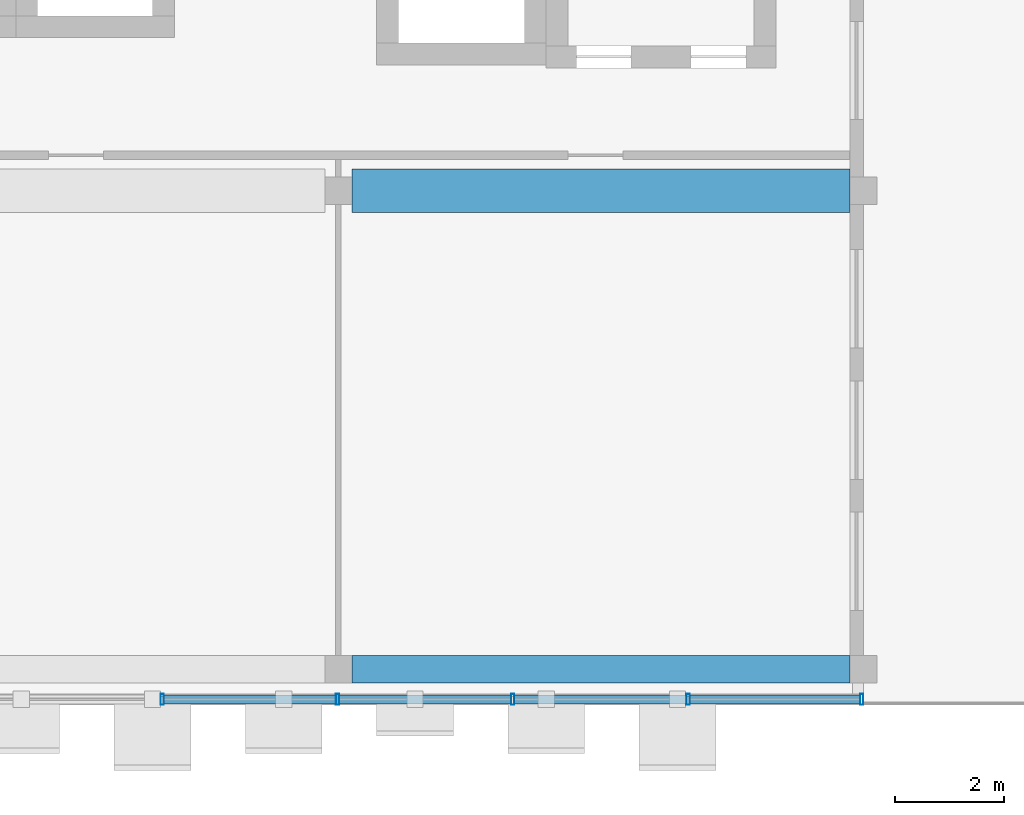
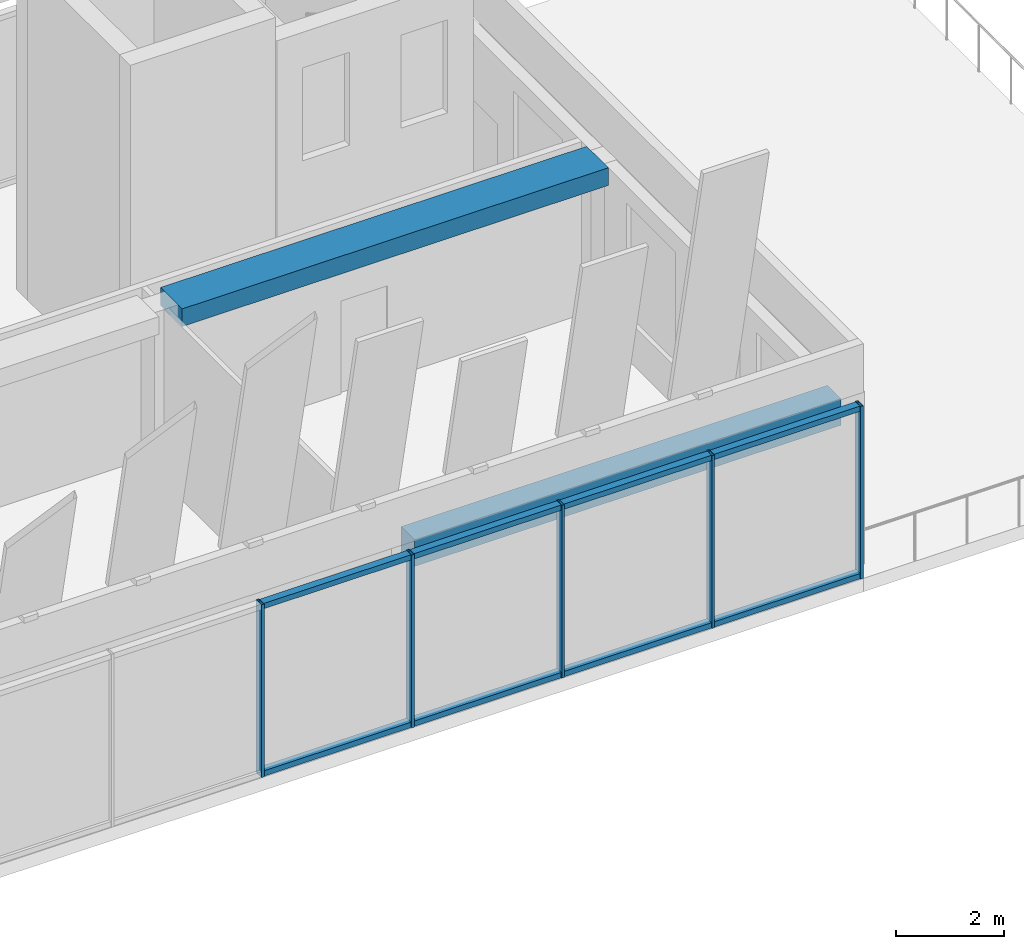
# One storey, part 4 of 26: 13 members, 2 beams, 1 element without a shape of its own.
"""IFC4 building model written with IfcOpenShell, lengths in metres."""

from ifc_helpers import new_model, si_unit, direction, frame, origin, origin_2d, place, context, subcontext, project, spatial, rectangle, hollow_rectangle, extrude, material, layer, layer_set, material_profile, profile_set, type_object, element, aggregate, save


model = new_model("IFC4")

# Units and contexts
model_context = context("Model", 3, precision=1e-05, world=origin(), true_north=direction((0.0, 1.0)))
body_context = subcontext(model_context, "Body", "Model", "MODEL_VIEW")
ifc_project = project(units=[si_unit("LENGTHUNIT", "METRE"), si_unit("AREAUNIT", "SQUARE_METRE"), si_unit("VOLUMEUNIT", "CUBIC_METRE"), si_unit("PLANEANGLEUNIT", "RADIAN"), si_unit("MASSUNIT", "GRAM", prefix="KILO")], contexts=[model_context])

# Site, building, storey
site_placement = place(None, origin())
site = spatial("IfcSite", under=ifc_project, at=site_placement, CompositionType="ELEMENT")
building_placement = place(site_placement, origin())
building = spatial("IfcBuilding", under=site, at=building_placement, Name="Nzadi Deep Aquarium and Research Tower", CompositionType="ELEMENT")
storey_placement = place(building_placement, frame((0.0, 0.0, 78.10009765625)))
storey = spatial("IfcBuildingStorey", under=building, at=storey_placement, Name="L16", CompositionType="ELEMENT", Elevation=78.10009765625)

# Curtain wall, members
ifc_material_1 = material(Name="Aluminium unitised frame", Category="aluminium")
ifc_layer = layer(ifc_material_1, 0.199951171875)
ifc_layer_set = layer_set([ifc_layer], Name="Aluminium unitised frame")
curtain_wall_type = type_object("IfcCurtainWallType", Name="Curtain wall Unitised 200", PredefinedType="NOTDEFINED", material=ifc_layer_set)
curtain_wall_placement = place(storey_placement, origin())
curtain_wall = element("IfcCurtainWall", 1, at=curtain_wall_placement, inside=storey, type_object=curtain_wall_type, Name="Unitised curtain wall blade A south L16", PredefinedType="NOTDEFINED")
ifc_material_2 = material(Name="Aluminium unitised frame", Category="aluminium")
ifc_material_profile_1 = material_profile(ifc_material_2, hollow_rectangle(XDim=0.199951171875, YDim=0.06005859375, WallThickness=0.0048828125, at=origin_2d()))
ifc_profile_set_1 = profile_set([ifc_material_profile_1], Name="Aluminium unitised frame")
member_type_1 = type_object("IfcMemberType", Name="Mullion 60x200 Unitised", PredefinedType="MULLION", material=ifc_profile_set_1)
member_1_placement = place(storey_placement, frame((15.977783203125, -0.10009765625, 0.0), z_axis=(0.0, 0.0, 1.0), x_axis=(0.0, 1.0, 0.0)))
member_1 = element("IfcMember", 2, at=member_1_placement, type_object=member_type_1, Name="CW075 mullion 6", PredefinedType="MULLION", context=body_context, shape_type="SweptSolid", body=[
    extrude(hollow_rectangle(XDim=0.199951171875, YDim=0.06005859375, WallThickness=0.0048828125, at=origin_2d()), origin(), (0.0, 0.0, 1.0), 3.89990234375),
])
member_2_placement = place(storey_placement, frame((19.183349609375, -0.10009765625, 0.0), z_axis=(0.0, 0.0, 1.0), x_axis=(0.0, 1.0, 0.0)))
member_2 = element("IfcMember", 3, at=member_2_placement, type_object=member_type_1, Name="CW075 mullion 7", PredefinedType="MULLION", context=body_context, shape_type="SweptSolid", body=[
    extrude(hollow_rectangle(XDim=0.199951171875, YDim=0.06005859375, WallThickness=0.0048828125, at=origin_2d()), origin(), (0.0, 0.0, 1.0), 3.89990234375),
])
member_3_placement = place(storey_placement, frame((22.388916015625, -0.10009765625, 0.0), z_axis=(0.0, 0.0, 1.0), x_axis=(0.0, 1.0, 0.0)))
member_3 = element("IfcMember", 4, at=member_3_placement, type_object=member_type_1, Name="CW075 mullion 8", PredefinedType="MULLION", context=body_context, shape_type="SweptSolid", body=[
    extrude(hollow_rectangle(XDim=0.199951171875, YDim=0.06005859375, WallThickness=0.0048828125, at=origin_2d()), origin(), (0.0, 0.0, 1.0), 3.89990234375),
])
member_4_placement = place(storey_placement, frame((25.594482421875, -0.10009765625, 0.0), z_axis=(0.0, 0.0, 1.0), x_axis=(0.0, 1.0, 0.0)))
member_4 = element("IfcMember", 5, at=member_4_placement, type_object=member_type_1, Name="CW075 mullion 9", PredefinedType="MULLION", context=body_context, shape_type="SweptSolid", body=[
    extrude(hollow_rectangle(XDim=0.199951171875, YDim=0.06005859375, WallThickness=0.0048828125, at=origin_2d()), origin(), (0.0, 0.0, 1.0), 3.89990234375),
])
member_5_placement = place(storey_placement, frame((28.77001953125, -0.10009765625, 0.0), z_axis=(0.0, 0.0, 1.0), x_axis=(0.0, 1.0, 0.0)))
member_5 = element("IfcMember", 6, at=member_5_placement, type_object=member_type_1, Name="CW075 mullion 10", PredefinedType="MULLION", context=body_context, shape_type="SweptSolid", body=[
    extrude(hollow_rectangle(XDim=0.199951171875, YDim=0.06005859375, WallThickness=0.0048828125, at=origin_2d()), origin(), (0.0, 0.0, 1.0), 3.89990234375),
])

# Beams
ifc_material_3 = material(Name="Concrete C35/45", Category="concrete")
ifc_material_profile_2 = material_profile(ifc_material_3, rectangle(XDim=0.5, YDim=0.60009765625, at=origin_2d()))
ifc_profile_set_2 = profile_set([ifc_material_profile_2], Name="Concrete C35/45")
beam_type_1 = type_object("IfcBeamType", Name="RC 500x600", PredefinedType="BEAM", material=ifc_profile_set_2)
beam_1_placement = place(storey_placement, frame((19.449951171875, 0.449951171875, 3.599853515625), z_axis=(1.0, 0.0, 0.0), x_axis=(0.0, 1.0, 0.0)))
element("IfcBeam", 7, at=beam_1_placement, inside=storey, type_object=beam_type_1, Name="B-Z1-L16-L1-3", PredefinedType="BEAM", context=body_context, shape_type="SweptSolid", body=[
    extrude(rectangle(XDim=0.5, YDim=0.60009765625, at=origin_2d()), origin(), (0.0, 0.0, 1.0), 9.10009765625),
])
ifc_material_4 = material(Name="Concrete C35/45", Category="concrete")
ifc_material_profile_3 = material_profile(ifc_material_4, rectangle(XDim=0.800048828125, YDim=0.39990234375, at=origin_2d()))
ifc_profile_set_3 = profile_set([ifc_material_profile_3], Name="Concrete C35/45")
beam_type_2 = type_object("IfcBeamType", Name="RC 800x400", PredefinedType="BEAM", material=ifc_profile_set_3)
beam_2_placement = place(storey_placement, frame((19.449951171875, 9.199951171875, 3.699951171875), z_axis=(1.0, 0.0, 0.0), x_axis=(0.0, 1.0, 0.0)))
element("IfcBeam", 8, at=beam_2_placement, inside=storey, type_object=beam_type_2, Name="B-Z1-L16-L2-3", PredefinedType="BEAM", context=body_context, shape_type="SweptSolid", body=[
    extrude(rectangle(XDim=0.800048828125, YDim=0.39990234375, at=origin_2d()), origin(), (0.0, 0.0, 1.0), 9.10009765625),
])

# Member
ifc_material_5 = material(Name="Aluminium unitised frame", Category="aluminium")
ifc_material_profile_4 = material_profile(ifc_material_5, hollow_rectangle(XDim=0.159912109375, YDim=0.1201171875, WallThickness=0.0048828125, at=origin_2d()))
ifc_profile_set_4 = profile_set([ifc_material_profile_4], Name="Aluminium unitised frame")
member_type_2 = type_object("IfcMemberType", Name="Transom 120x160 Unitised", PredefinedType="MULLION", material=ifc_profile_set_4)
member_6_placement = place(storey_placement, frame((16.0078125, -0.10009765625, 0.059814453125), z_axis=(1.0, 0.0, 0.0), x_axis=(0.0, 1.0, 0.0)))
member_6 = element("IfcMember", 9, at=member_6_placement, type_object=member_type_2, Name="CW075 transom 6.1", PredefinedType="MULLION", context=body_context, shape_type="SweptSolid", body=[
    extrude(hollow_rectangle(XDim=0.159912109375, YDim=0.1201171875, WallThickness=0.0048828125, at=origin_2d()), origin(), (0.0, 0.0, 1.0), 3.1455078125),
])

member_7_placement = place(storey_placement, frame((16.0078125, -0.10009765625, 3.83984375), z_axis=(1.0, 0.0, 0.0), x_axis=(0.0, 1.0, 0.0)))
member_7 = element("IfcMember", 10, at=member_7_placement, type_object=member_type_2, Name="CW075 transom 6.2", PredefinedType="MULLION", context=body_context, shape_type="SweptSolid", body=[
    extrude(hollow_rectangle(XDim=0.159912109375, YDim=0.1201171875, WallThickness=0.0048828125, at=origin_2d()), origin(), (0.0, 0.0, 1.0), 3.1455078125),
])

member_8_placement = place(storey_placement, frame((19.21337890625, -0.10009765625, 0.059814453125), z_axis=(1.0, 0.0, 0.0), x_axis=(0.0, 1.0, 0.0)))
member_8 = element("IfcMember", 11, at=member_8_placement, type_object=member_type_2, Name="CW075 transom 7.1", PredefinedType="MULLION", context=body_context, shape_type="SweptSolid", body=[
    extrude(hollow_rectangle(XDim=0.159912109375, YDim=0.1201171875, WallThickness=0.0048828125, at=origin_2d()), origin(), (0.0, 0.0, 1.0), 3.1455078125),
])

member_9_placement = place(storey_placement, frame((19.21337890625, -0.10009765625, 3.83984375), z_axis=(1.0, 0.0, 0.0), x_axis=(0.0, 1.0, 0.0)))
member_9 = element("IfcMember", 12, at=member_9_placement, type_object=member_type_2, Name="CW075 transom 7.2", PredefinedType="MULLION", context=body_context, shape_type="SweptSolid", body=[
    extrude(hollow_rectangle(XDim=0.159912109375, YDim=0.1201171875, WallThickness=0.0048828125, at=origin_2d()), origin(), (0.0, 0.0, 1.0), 3.1455078125),
])

member_10_placement = place(storey_placement, frame((22.4189453125, -0.10009765625, 0.059814453125), z_axis=(1.0, 0.0, 0.0), x_axis=(0.0, 1.0, 0.0)))
member_10 = element("IfcMember", 13, at=member_10_placement, type_object=member_type_2, Name="CW075 transom 8.1", PredefinedType="MULLION", context=body_context, shape_type="SweptSolid", body=[
    extrude(hollow_rectangle(XDim=0.159912109375, YDim=0.1201171875, WallThickness=0.0048828125, at=origin_2d()), origin(), (0.0, 0.0, 1.0), 3.1455078125),
])

member_11_placement = place(storey_placement, frame((22.4189453125, -0.10009765625, 3.83984375), z_axis=(1.0, 0.0, 0.0), x_axis=(0.0, 1.0, 0.0)))
member_11 = element("IfcMember", 14, at=member_11_placement, type_object=member_type_2, Name="CW075 transom 8.2", PredefinedType="MULLION", context=body_context, shape_type="SweptSolid", body=[
    extrude(hollow_rectangle(XDim=0.159912109375, YDim=0.1201171875, WallThickness=0.0048828125, at=origin_2d()), origin(), (0.0, 0.0, 1.0), 3.1455078125),
])

member_12_placement = place(storey_placement, frame((25.62451171875, -0.10009765625, 0.059814453125), z_axis=(1.0, 0.0, 0.0), x_axis=(0.0, 1.0, 0.0)))
member_12 = element("IfcMember", 15, at=member_12_placement, type_object=member_type_2, Name="CW075 transom 9.1", PredefinedType="MULLION", context=body_context, shape_type="SweptSolid", body=[
    extrude(hollow_rectangle(XDim=0.159912109375, YDim=0.1201171875, WallThickness=0.0048828125, at=origin_2d()), origin(), (0.0, 0.0, 1.0), 3.115478515625),
])

member_13_placement = place(storey_placement, frame((25.62451171875, -0.10009765625, 3.83984375), z_axis=(1.0, 0.0, 0.0), x_axis=(0.0, 1.0, 0.0)))
member_13 = element("IfcMember", 16, at=member_13_placement, type_object=member_type_2, Name="CW075 transom 9.2", PredefinedType="MULLION", context=body_context, shape_type="SweptSolid", body=[
    extrude(hollow_rectangle(XDim=0.159912109375, YDim=0.1201171875, WallThickness=0.0048828125, at=origin_2d()), origin(), (0.0, 0.0, 1.0), 3.115478515625),
])

aggregate(curtain_wall, [member_1, member_2, member_3, member_4, member_5, member_6, member_7, member_8, member_9, member_10, member_11, member_12, member_13])

save(model, "model.ifc")
